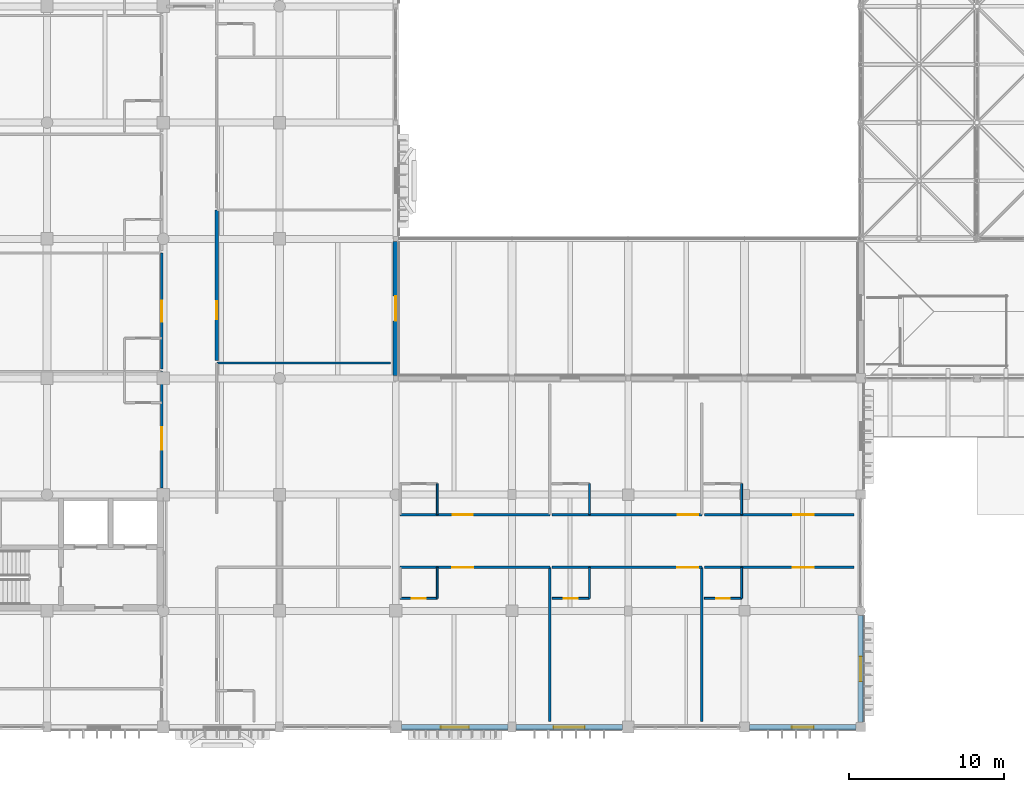
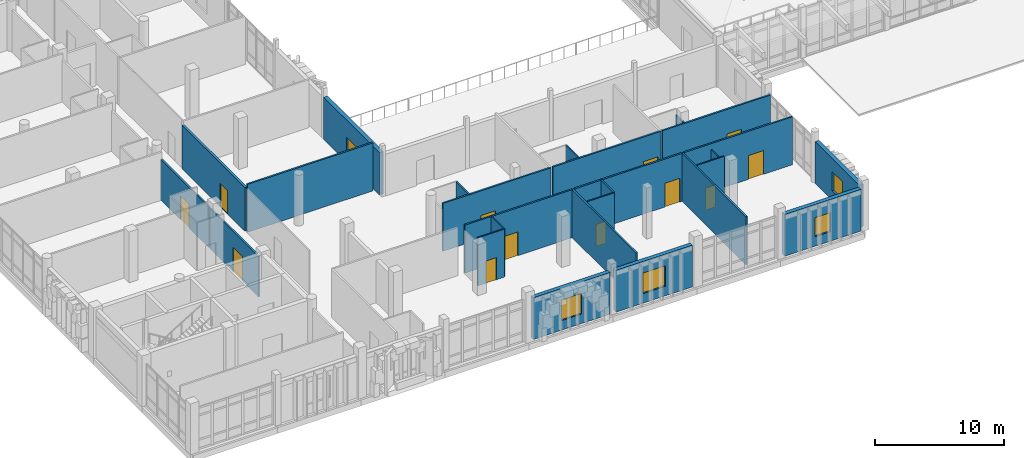
# One storey, part 99 of 131: 26 walls, 13 doors, 4 windows, 17 openings.
"""IFC4 building model written with IfcOpenShell, lengths in metres."""

import ifcopenshell
import ifcopenshell.guid

model = None  # the IFC model being written
_history = None  # IfcOwnerHistory: only IFC2X3 demands one
_inside = {}  # id of a spatial element -> (the spatial element, [elements in it])
_under = {}  # id of a project, library or spatial element -> (it, [spatial elements below it])
_declared = {}  # id of a project -> (the project, [libraries it declares])
_typed = {}  # id of a type object -> (the type object, [elements of that type])
_made_of = {}  # id of a material, layer set ... -> (it, [elements and type objects made of it])


def new_model(schema):
    """Start an empty IFC model of exactly this schema.

    Asked for "IFC4X3", IfcOpenShell would pick the latest addendum, in which some entities
    have other attributes; the version numbers below select the first issue.
    IFC2X3 requires an IfcOwnerHistory on every rooted entity: one is made here for all.
    """
    global model, _history
    if schema == "IFC4X3":
        model = ifcopenshell.file(schema_version=(4, 3, 0, 0))
    else:
        model = ifcopenshell.file(schema=schema)
    _inside.clear()
    _under.clear()
    _declared.clear()
    _typed.clear()
    _made_of.clear()
    _history = None
    if model.schema == "IFC2X3":
        org = make("IfcOrganization", Name="unknown")
        user = make(
            "IfcPersonAndOrganization",
            ThePerson=make("IfcPerson", FamilyName="unknown"),
            TheOrganization=org,
        )
        app = make(
            "IfcApplication",
            ApplicationDeveloper=org,
            Version="unknown",
            ApplicationFullName="unknown",
            ApplicationIdentifier="unknown",
        )
        _history = make(
            "IfcOwnerHistory",
            OwningUser=user,
            OwningApplication=app,
            ChangeAction="ADDED",
            CreationDate=0,
        )
    return model


def make(cls, **values):
    """One entity of the class cls with the attributes given. An attribute that is None is left unset."""
    return model.create_entity(
        cls, **{name: value for name, value in values.items() if value is not None}
    )


def rooted(cls, **values):
    """An entity with a GlobalId (a new one), such as an element, a storey or a relation."""
    return make(cls, GlobalId=ifcopenshell.guid.new(), OwnerHistory=_history, **values)


def si_unit(unit_type, name, prefix=None):
    """IfcSIUnit, for example si_unit("LENGTHUNIT", "METRE", prefix="MILLI")."""
    return make("IfcSIUnit", UnitType=unit_type, Prefix=prefix, Name=name)


def assignment(units):
    """IfcUnitAssignment: the units of a project."""
    return None if units is None else make("IfcUnitAssignment", Units=units)


def point(xyz):
    """IfcCartesianPoint."""
    return None if xyz is None else make("IfcCartesianPoint", Coordinates=xyz)


def direction(xyz):
    """IfcDirection."""
    return None if xyz is None else make("IfcDirection", DirectionRatios=xyz)


def frame(location, z_axis=None, x_axis=None):
    """IfcAxis2Placement3D, a coordinate frame: its origin and axes. An axis left out is left unset."""
    return make(
        "IfcAxis2Placement3D",
        Location=point(location),
        Axis=direction(z_axis),
        RefDirection=direction(x_axis),
    )


def frame_2d(location, x_axis=None):
    """IfcAxis2Placement2D, a coordinate frame in the plane: its origin and x axis."""
    return make(
        "IfcAxis2Placement2D", Location=point(location), RefDirection=direction(x_axis)
    )


def origin():
    """The frame at (0, 0, 0) with its axes left unset."""
    return frame((0.0, 0.0, 0.0))


def place(relative_to, where):
    """IfcLocalPlacement: puts the frame where relative to a parent placement (None: the world)."""
    return make(
        "IfcLocalPlacement", PlacementRelTo=relative_to, RelativePlacement=where
    )


def context(
    kind, dimensions, precision=None, world=None, true_north=None, identifier=None
):
    """IfcGeometricRepresentationContext, for example the 3D "Model" context."""
    return make(
        "IfcGeometricRepresentationContext",
        ContextIdentifier=identifier,
        ContextType=kind,
        CoordinateSpaceDimension=dimensions,
        Precision=precision,
        WorldCoordinateSystem=world,
        TrueNorth=true_north,
    )


def subcontext(parent, identifier, kind, view, scale=None):
    """IfcGeometricRepresentationSubContext, for example "Body" below "Model"."""
    return make(
        "IfcGeometricRepresentationSubContext",
        ContextIdentifier=identifier,
        ContextType=kind,
        ParentContext=parent,
        TargetScale=scale,
        TargetView=view,
    )


def project(units=None, contexts=None):
    """IfcProject with its units and contexts."""
    return rooted(
        "IfcProject",
        Name="project",
        RepresentationContexts=contexts,
        UnitsInContext=assignment(units),
    )


def spatial(cls, under=None, at=None, **own):
    """A site, building, storey or space (cls), placed at a placement, below another one or the project."""
    s = rooted(cls, ObjectPlacement=at, **own)
    if under is not None:
        _under.setdefault(under.id(), (under, []))[1].append(s)
    return s


def profile(cls, at=None, kind="AREA", **sizes):
    """A parametric profile (cls). Its sizes go by their IFC names, for example OverallWidth=200.0."""
    return make(cls, ProfileType=kind, Position=at, **sizes)


def rectangle(**sizes):
    """IfcRectangleProfileDef."""
    return profile("IfcRectangleProfileDef", **sizes)


def extrude(swept, where, along, depth):
    """IfcExtrudedAreaSolid: the profile swept, set in the frame where, extruded along a direction by depth."""
    return make(
        "IfcExtrudedAreaSolid",
        SweptArea=swept,
        Position=where,
        ExtrudedDirection=direction(along),
        Depth=depth,
    )


def shape(context_of_items, identifier, shape_type, items):
    """IfcShapeRepresentation: the items that make up one representation, for example the "Body"."""
    return make(
        "IfcShapeRepresentation",
        ContextOfItems=context_of_items,
        RepresentationIdentifier=identifier,
        RepresentationType=shape_type,
        Items=items,
    )


def material(Name=None, Category=None):
    """IfcMaterial."""
    return make("IfcMaterial", Name=Name, Category=Category)


def layer(
    of_material, thickness, ventilated=None, Name=None, Category=None, Priority=None
):
    """IfcMaterialLayer: one layer of a wall or slab, of a material (None: an air gap)."""
    return make(
        "IfcMaterialLayer",
        Material=of_material,
        LayerThickness=thickness,
        IsVentilated=ventilated,
        Name=Name,
        Category=Category,
        Priority=Priority,
    )


def layer_set(layers, Name=None):
    """IfcMaterialLayerSet."""
    return make("IfcMaterialLayerSet", MaterialLayers=layers, LayerSetName=Name)


def made_of(thing, what):
    """Note that an element or type object is made of a material, layer set ...; save() writes the relation."""
    if what is not None:
        _made_of.setdefault(what.id(), (what, []))[1].append(thing)
    return thing


def type_object(cls, material=None, **own):
    """A type object (cls), such as IfcWallType, which elements share."""
    return made_of(rooted(cls, **own), material)


def element(
    cls,
    number,
    at=None,
    inside=None,
    cuts=None,
    type_object=None,
    material=None,
    context=None,
    identifier="Body",
    shape_type=None,
    held_by="IfcProductDefinitionShape",
    body=None,
    shapes=None,
    **own,
):
    """One element of the class cls, such as IfcWall. Its Tag is "e" and its number.

    at: its placement. inside: the storey or other place that contains it. cuts: it is an
    opening in that element (IfcRelVoidsElement). A single representation is given by context,
    identifier, shape_type and body (its items); several are given by shapes. held_by: the class
    of the entity that holds the representations. save() writes the other relations.
    """
    e = rooted(cls, Tag="e%d" % number, ObjectPlacement=at, **own)
    if body is not None:
        shapes = [shape(context, identifier, shape_type, body)]
    if shapes is not None:
        e.Representation = make(held_by, Representations=shapes)
    if inside is not None:
        _inside.setdefault(inside.id(), (inside, []))[1].append(e)
    if cuts is not None:
        rooted(
            "IfcRelVoidsElement", RelatingBuildingElement=cuts, RelatedOpeningElement=e
        )
    if type_object is not None:
        _typed.setdefault(type_object.id(), (type_object, []))[1].append(e)
    return made_of(e, material)


def fill(opening, filler):
    """IfcRelFillsElement: the door or window that sits in an opening."""
    return rooted(
        "IfcRelFillsElement",
        RelatingOpeningElement=opening,
        RelatedBuildingElement=filler,
    )


def aggregate(whole, parts):
    """IfcRelAggregates: a whole, such as a stair, and the parts it consists of."""
    return rooted("IfcRelAggregates", RelatingObject=whole, RelatedObjects=parts)


def save(model, path):
    """Write the relations noted so far, then the file.

    IfcRelAggregates (storeys below a building ...), IfcRelContainedInSpatialStructure (elements
    in a storey), IfcRelDefinesByType, IfcRelAssociatesMaterial and IfcRelDeclares: one each for
    every whole, place, type object, material and project.
    """
    for whole, parts in _under.values():
        aggregate(whole, parts)
    for where, things in _inside.values():
        rooted(
            "IfcRelContainedInSpatialStructure",
            RelatedElements=things,
            RelatingStructure=where,
        )
    for kind, things in _typed.values():
        rooted("IfcRelDefinesByType", RelatedObjects=things, RelatingType=kind)
    for what, things in _made_of.values():
        rooted("IfcRelAssociatesMaterial", RelatedObjects=things, RelatingMaterial=what)
    for by, libraries in _declared.values():
        rooted("IfcRelDeclares", RelatingContext=by, RelatedDefinitions=libraries)
    model.write(path)


model = new_model("IFC4")

# Units and contexts
model_context = context("Model", 3, precision=1e-05, world=origin(), true_north=direction((0.0, 1.0)))
body_context = subcontext(model_context, "Body", "Model", "MODEL_VIEW")
ifc_project = project(units=[si_unit("LENGTHUNIT", "METRE"), si_unit("AREAUNIT", "SQUARE_METRE"), si_unit("VOLUMEUNIT", "CUBIC_METRE"), si_unit("PLANEANGLEUNIT", "RADIAN"), si_unit("MASSUNIT", "GRAM", prefix="KILO")], contexts=[model_context])

# Site, building, storey
site_placement = place(None, origin())
site = spatial("IfcSite", under=ifc_project, at=site_placement, CompositionType="ELEMENT")
building_placement = place(site_placement, origin())
building = spatial("IfcBuilding", under=site, at=building_placement, Name="Dalvernix Boulevard General Hospital", CompositionType="ELEMENT")
storey_placement = place(building_placement, frame((0.0, 0.0, 9.300048828125)))
storey = spatial("IfcBuildingStorey", under=building, at=storey_placement, Name="L02", CompositionType="ELEMENT", Elevation=9.300048828125)

# Wall, opening, door
ifc_material_1 = material(Name="Pressed Catalan clay brick and insulated concrete cavity wall C35/45", Category="masonry")
ifc_layer_1 = layer(ifc_material_1, 0.35009765625)
ifc_layer_set_1 = layer_set([ifc_layer_1], Name="Pressed Catalan clay brick and insulated concrete cavity wall C35/45 (WAL-EW-01)")
wall_type_1 = type_object("IfcWallType", Name="WAL-EW-01", PredefinedType="STANDARD", material=ifc_layer_set_1)
wall_1_placement = place(storey_placement, frame((30.0, 31.330078125, 0.0), z_axis=(0.0, 0.0, 1.0), x_axis=(0.0, -1.0, 0.0)))
wall_1 = element("IfcWall", 1, at=wall_1_placement, inside=storey, type_object=wall_type_1, Name="L02 Catalan brick external wall E 4-3", PredefinedType="STANDARD", context=body_context, shape_type="SweptSolid", body=[
    extrude(rectangle(XDim=8.66015625, YDim=0.35009765625, at=frame_2d((4.330078125, 0.0))), origin(), (0.0, 0.0, 1.0), 4.0),
])
opening_1_placement = place(wall_1_placement, frame((3.530029296875, 0.0, 0.0)))
opening_1 = element("IfcOpeningElement", 2, at=opening_1_placement, cuts=wall_1, Name="Opening TD-16", PredefinedType="OPENING", context=body_context, shape_type="SweptSolid", body=[
    extrude(rectangle(XDim=1.60009765625, YDim=2.35009765625, at=frame_2d((0.800048828125, 1.175048828125))), frame((0.0, 0.18505859375, 0.0), z_axis=(0.0, -1.0, 0.0), x_axis=(1.0, 0.0, 0.0)), (0.0, 0.0, 1.0), 0.3701171875),
])
ifc_material_2 = material(Name="Powder-coated aluminium and laminated safety glass", Category="aluminium")
door_type_1 = type_object("IfcDoorType", Name="DR-TD-16", OperationType="DOUBLE_DOOR_SINGLE_SWING", PredefinedType="DOOR", material=ifc_material_2)
door_1_placement = place(opening_1_placement, origin())
door_1 = element("IfcDoor", 3, at=door_1_placement, inside=storey, type_object=door_type_1, Name="L02 ward terrace access door E 4-3", OperationType="DOUBLE_DOOR_SINGLE_SWING", OverallHeight=2.35009765625, OverallWidth=1.60009765625, PredefinedType="DOOR", context=body_context, shape_type="SweptSolid", body=[
    extrude(rectangle(XDim=1.60009765625, YDim=2.35009765625, at=frame_2d((0.800048828125, 1.175048828125))), frame((0.0, 0.02490234375, 0.0), z_axis=(0.0, -1.0, 0.0), x_axis=(1.0, 0.0, 0.0)), (0.0, 0.0, 1.0), 0.050048828125),
])
fill(opening_1, door_1)

# Wall, opening, window
wall_2_placement = place(storey_placement, frame((37.239990234375, 0.0, 0.0), z_axis=(0.0, 0.0, 1.0), x_axis=(-1.0, 0.0, 0.0)))
wall_2 = element("IfcWall", 4, at=wall_2_placement, inside=storey, type_object=wall_type_1, Name="L02 Catalan brick external wall S 4-0", PredefinedType="STANDARD", context=body_context, shape_type="SweptSolid", body=[
    extrude(rectangle(XDim=6.85498046875, YDim=0.35009765625, at=frame_2d((3.427490234375, 0.0))), origin(), (0.0, 0.0, 1.0), 3.949951171875),
])
opening_2_placement = place(wall_2_placement, frame((2.527587890625, 0.0, 0.89990234375)))
opening_2 = element("IfcOpeningElement", 5, at=opening_2_placement, cuts=wall_2, Name="Opening WN-11", PredefinedType="OPENING", context=body_context, shape_type="SweptSolid", body=[
    extrude(rectangle(XDim=1.800048828125, YDim=1.949951171875, at=frame_2d((0.89990234375, 0.97509765625))), frame((0.0, 0.18505859375, 0.0), z_axis=(0.0, -1.0, 0.0), x_axis=(1.0, 0.0, 0.0)), (0.0, 0.0, 1.0), 0.3701171875),
])
ifc_material_3 = material(Name="Thermally broken aluminium frame with solar-control double glazing", Category="aluminium")
window_type_1 = type_object("IfcWindowType", Name="WIN-WN-11", PartitioningType="SINGLE_PANEL", PredefinedType="WINDOW", material=ifc_material_3)
window_1_placement = place(opening_2_placement, origin())
window_1 = element("IfcWindow", 6, at=window_1_placement, inside=storey, type_object=window_type_1, Name="L02 clinical window WN-11 S 4-0", OverallHeight=1.949951171875, OverallWidth=1.800048828125, PartitioningType="SINGLE_PANEL", PredefinedType="WINDOW", context=body_context, shape_type="SweptSolid", body=[
    extrude(rectangle(XDim=1.800048828125, YDim=1.949951171875, at=frame_2d((0.89990234375, 0.97509765625))), frame((0.0, 0.030029296875, 0.0), z_axis=(0.0, -1.0, 0.0), x_axis=(1.0, 0.0, 0.0)), (0.0, 0.0, 1.0), 0.06005859375),
])
fill(opening_2, window_1)

wall_3_placement = place(storey_placement, frame((44.614990234375, 0.0, 0.0), z_axis=(0.0, 0.0, 1.0), x_axis=(-1.0, 0.0, 0.0)))
wall_3 = element("IfcWall", 7, at=wall_3_placement, inside=storey, type_object=wall_type_1, Name="L02 Catalan brick external wall S 5-0", PredefinedType="STANDARD", context=body_context, shape_type="SweptSolid", body=[
    extrude(rectangle(XDim=6.85498046875, YDim=0.35009765625, at=frame_2d((3.427490234375, 0.0))), origin(), (0.0, 0.0, 1.0), 3.949951171875),
])
opening_3_placement = place(wall_3_placement, frame((2.427490234375, 0.0, 0.89990234375)))
opening_3 = element("IfcOpeningElement", 8, at=opening_3_placement, cuts=wall_3, Name="Opening WN-12", PredefinedType="OPENING", context=body_context, shape_type="SweptSolid", body=[
    extrude(rectangle(XDim=2.0, YDim=1.949951171875, at=frame_2d((1.0, 0.97509765625))), frame((0.0, 0.18505859375, 0.0), z_axis=(0.0, -1.0, 0.0), x_axis=(1.0, 0.0, 0.0)), (0.0, 0.0, 1.0), 0.3701171875),
])
window_type_2 = type_object("IfcWindowType", Name="WIN-WN-12", PartitioningType="SINGLE_PANEL", PredefinedType="WINDOW", material=ifc_material_3)
window_2_placement = place(opening_3_placement, origin())
window_2 = element("IfcWindow", 9, at=window_2_placement, inside=storey, type_object=window_type_2, Name="L02 clinical window WN-12 S 5-0", OverallHeight=1.949951171875, OverallWidth=2.0, PartitioningType="SINGLE_PANEL", PredefinedType="WINDOW", context=body_context, shape_type="SweptSolid", body=[
    extrude(rectangle(XDim=2.0, YDim=1.949951171875, at=frame_2d((1.0, 0.97509765625))), frame((0.0, 0.030029296875, 0.0), z_axis=(0.0, -1.0, 0.0), x_axis=(1.0, 0.0, 0.0)), (0.0, 0.0, 1.0), 0.06005859375),
])
fill(opening_3, window_2)

wall_4_placement = place(storey_placement, frame((59.68994140625, 0.0, 0.0), z_axis=(0.0, 0.0, 1.0), x_axis=(-1.0, 0.0, 0.0)))
wall_4 = element("IfcWall", 10, at=wall_4_placement, inside=storey, type_object=wall_type_1, Name="L02 Catalan brick external wall S 7-0", PredefinedType="STANDARD", context=body_context, shape_type="SweptSolid", body=[
    extrude(rectangle(XDim=6.85498046875, YDim=0.35009765625, at=frame_2d((3.427490234375, 0.0))), origin(), (0.0, 0.0, 1.0), 3.949951171875),
])
opening_4_placement = place(wall_4_placement, frame((2.7275390625, 0.0, 0.89990234375)))
opening_4 = element("IfcOpeningElement", 11, at=opening_4_placement, cuts=wall_4, Name="Opening WN-14", PredefinedType="OPENING", context=body_context, shape_type="SweptSolid", body=[
    extrude(rectangle(XDim=1.39990234375, YDim=1.800048828125, at=frame_2d((0.699951171875, 0.89990234375))), frame((0.0, 0.18505859375, 0.0), z_axis=(0.0, -1.0, 0.0), x_axis=(1.0, 0.0, 0.0)), (0.0, 0.0, 1.0), 0.3701171875),
])
window_type_3 = type_object("IfcWindowType", Name="WIN-WN-14", PartitioningType="SINGLE_PANEL", PredefinedType="WINDOW", material=ifc_material_3)
window_3_placement = place(opening_4_placement, origin())
window_3 = element("IfcWindow", 12, at=window_3_placement, inside=storey, type_object=window_type_3, Name="L02 clinical window WN-14 S 7-0", OverallHeight=1.800048828125, OverallWidth=1.39990234375, PartitioningType="SINGLE_PANEL", PredefinedType="WINDOW", context=body_context, shape_type="SweptSolid", body=[
    extrude(rectangle(XDim=1.39990234375, YDim=1.800048828125, at=frame_2d((0.699951171875, 0.89990234375))), frame((0.0, 0.030029296875, 0.0), z_axis=(0.0, -1.0, 0.0), x_axis=(1.0, 0.0, 0.0)), (0.0, 0.0, 1.0), 0.06005859375),
])
fill(opening_4, window_3)

wall_5_placement = place(storey_placement, frame((60.0, 7.18994140625, 0.0), z_axis=(0.0, 0.0, 1.0), x_axis=(0.0, -1.0, 0.0)))
wall_5 = element("IfcWall", 13, at=wall_5_placement, inside=storey, type_object=wall_type_1, Name="L02 Catalan brick external wall E 8-0", PredefinedType="STANDARD", context=body_context, shape_type="SweptSolid", body=[
    extrude(rectangle(XDim=6.8798828125, YDim=0.35009765625, at=frame_2d((3.43994140625, 0.0))), origin(), (0.0, 0.0, 1.0), 3.949951171875),
])
opening_5_placement = place(wall_5_placement, frame((2.639892578125, 0.0, 0.89990234375)))
opening_5 = element("IfcOpeningElement", 14, at=opening_5_placement, cuts=wall_5, Name="Opening WN-15", PredefinedType="OPENING", context=body_context, shape_type="SweptSolid", body=[
    extrude(rectangle(XDim=1.60009765625, YDim=1.800048828125, at=frame_2d((0.800048828125, 0.89990234375))), frame((0.0, 0.18505859375, 0.0), z_axis=(0.0, -1.0, 0.0), x_axis=(1.0, 0.0, 0.0)), (0.0, 0.0, 1.0), 0.3701171875),
])
window_type_4 = type_object("IfcWindowType", Name="WIN-WN-15", PartitioningType="SINGLE_PANEL", PredefinedType="WINDOW", material=ifc_material_3)
window_4_placement = place(opening_5_placement, origin())
window_4 = element("IfcWindow", 15, at=window_4_placement, inside=storey, type_object=window_type_4, Name="L02 clinical window WN-15 E 8-0", OverallHeight=1.800048828125, OverallWidth=1.60009765625, PartitioningType="SINGLE_PANEL", PredefinedType="WINDOW", context=body_context, shape_type="SweptSolid", body=[
    extrude(rectangle(XDim=1.60009765625, YDim=1.800048828125, at=frame_2d((0.800048828125, 0.89990234375))), frame((0.0, 0.030029296875, 0.0), z_axis=(0.0, -1.0, 0.0), x_axis=(1.0, 0.0, 0.0)), (0.0, 0.0, 1.0), 0.06005859375),
])
fill(opening_5, window_4)

# Wall, opening, door
ifc_material_4 = material(Name="Fire-compartment corridor masonry wall", Category="masonry")
ifc_layer_2 = layer(ifc_material_4, 0.199951171875)
ifc_layer_set_2 = layer_set([ifc_layer_2], Name="Fire-compartment corridor masonry wall (WAL-IW-02)")
wall_type_2 = type_object("IfcWallType", Name="WAL-IW-02", PredefinedType="STANDARD", material=ifc_layer_set_2)
wall_6_placement = place(storey_placement, frame((18.449951171875, 33.357421875, 0.0), z_axis=(0.0, 0.0, 1.0), x_axis=(0.0, -1.0, 0.0)))
wall_6 = element("IfcWall", 16, at=wall_6_placement, inside=storey, type_object=wall_type_2, Name="L02 Clinical Treatment and Procedure Room L02 corridor wall", PredefinedType="STANDARD", context=body_context, shape_type="SweptSolid", body=[
    extrude(rectangle(XDim=9.708740234375, YDim=0.199951171875, at=frame_2d((4.8544921875, 0.0))), origin(), (0.0, 0.0, 1.0), 4.135009765625),
])
opening_6_placement = place(wall_6_placement, frame((5.89111328125, 0.0, 0.0)))
opening_6 = element("IfcOpeningElement", 17, at=opening_6_placement, cuts=wall_6, Name="Opening ID-08", PredefinedType="OPENING", context=body_context, shape_type="SweptSolid", body=[
    extrude(rectangle(XDim=1.14990234375, YDim=2.199951171875, at=frame_2d((0.574951171875, 1.10009765625))), frame((0.0, 0.10986328125, 0.0), z_axis=(0.0, -1.0, 0.0), x_axis=(1.0, 0.0, 0.0)), (0.0, 0.0, 1.0), 0.219970703125),
])
ifc_material_5 = material(Name="Hospital laminate acoustic timber and steel frame", Category="steel")
door_type_2 = type_object("IfcDoorType", Name="DR-ID-08", OperationType="NOTDEFINED", PredefinedType="DOOR", material=ifc_material_5)
door_2_placement = place(opening_6_placement, origin())
door_2 = element("IfcDoor", 18, at=door_2_placement, inside=storey, type_object=door_type_2, Name="L02 Clinical Treatment and Procedure Room L02 door", OperationType="SINGLE_SWING_RIGHT", OverallHeight=2.199951171875, OverallWidth=1.14990234375, PredefinedType="DOOR", context=body_context, shape_type="SweptSolid", body=[
    extrude(rectangle(XDim=1.14990234375, YDim=2.199951171875, at=frame_2d((0.574951171875, 1.10009765625))), frame((0.0, 0.02490234375, 0.0), z_axis=(0.0, -1.0, 0.0), x_axis=(1.0, 0.0, 0.0)), (0.0, 0.0, 1.0), 0.050048828125),
])
fill(opening_6, door_2)

ifc_material_6 = material(Name="Acoustic double-stud gypsum inpatient partition")
ifc_layer_3 = layer(ifc_material_6, 0.14990234375)
ifc_layer_set_3 = layer_set([ifc_layer_3], Name="Acoustic double-stud gypsum inpatient partition (WAL-IW-04)")
wall_type_3 = type_object("IfcWallType", Name="WAL-IW-04", PredefinedType="PARTITIONING", material=ifc_layer_set_3)
wall_7_placement = place(storey_placement, frame((14.89990234375, 15.429931640625, 0.0), z_axis=(0.0, 0.0, 1.0), x_axis=(0.0, 1.0, 0.0)))
wall_7 = element("IfcWall", 19, at=wall_7_placement, inside=storey, type_object=wall_type_3, Name="L02 Four Bed Observation Ward L02-W02 corridor wall", PredefinedType="PARTITIONING", context=body_context, shape_type="SweptSolid", body=[
    extrude(rectangle(XDim=7.5, YDim=0.14990234375, at=frame_2d((3.75, 0.0))), origin(), (0.0, 0.0, 1.0), 3.8349609375),
])
opening_7_placement = place(wall_7_placement, frame((2.469970703125, 0.0, 0.0)))
opening_7 = element("IfcOpeningElement", 20, at=opening_7_placement, cuts=wall_7, Name="Opening ID-02", PredefinedType="OPENING", context=body_context, shape_type="SweptSolid", body=[
    extrude(rectangle(XDim=1.449951171875, YDim=2.300048828125, at=frame_2d((0.72509765625, 1.14990234375))), frame((0.0, 0.0849609375, 0.0), z_axis=(0.0, -1.0, 0.0), x_axis=(1.0, 0.0, 0.0)), (0.0, 0.0, 1.0), 0.169921875),
])
door_type_3 = type_object("IfcDoorType", Name="DR-ID-02", OperationType="NOTDEFINED", PredefinedType="DOOR", material=ifc_material_5)
door_3_placement = place(opening_7_placement, origin())
door_3 = element("IfcDoor", 21, at=door_3_placement, inside=storey, type_object=door_type_3, Name="L02 Four Bed Observation Ward L02-W02 door", OperationType="SINGLE_SWING_LEFT", OverallHeight=2.300048828125, OverallWidth=1.449951171875, PredefinedType="DOOR", context=body_context, shape_type="SweptSolid", body=[
    extrude(rectangle(XDim=1.449951171875, YDim=2.300048828125, at=frame_2d((0.72509765625, 1.14990234375))), frame((0.0, 0.02490234375, 0.0), z_axis=(0.0, -1.0, 0.0), x_axis=(1.0, 0.0, 0.0)), (0.0, 0.0, 1.0), 0.050048828125),
])
fill(opening_7, door_3)

wall_8_placement = place(storey_placement, frame((14.89990234375, 23.090087890625, 0.0), z_axis=(0.0, 0.0, 1.0), x_axis=(0.0, 1.0, 0.0)))
wall_8 = element("IfcWall", 22, at=wall_8_placement, inside=storey, type_object=wall_type_3, Name="L02 Acute Observation Patient Room L02-W03 corridor wall", PredefinedType="PARTITIONING", context=body_context, shape_type="SweptSolid", body=[
    extrude(rectangle(XDim=7.5, YDim=0.14990234375, at=frame_2d((3.75, 0.0))), origin(), (0.0, 0.0, 1.0), 3.8349609375),
])
opening_8_placement = place(wall_8_placement, frame((3.074951171875, 0.0, 0.0)))
opening_8 = element("IfcOpeningElement", 23, at=opening_8_placement, cuts=wall_8, Name="Opening ID-01", PredefinedType="OPENING", context=body_context, shape_type="SweptSolid", body=[
    extrude(rectangle(XDim=1.35009765625, YDim=2.25, at=frame_2d((0.675048828125, 1.125))), frame((0.0, 0.0849609375, 0.0), z_axis=(0.0, -1.0, 0.0), x_axis=(1.0, 0.0, 0.0)), (0.0, 0.0, 1.0), 0.169921875),
])
door_type_4 = type_object("IfcDoorType", Name="DR-ID-01", OperationType="NOTDEFINED", PredefinedType="DOOR", material=ifc_material_5)
door_4_placement = place(opening_8_placement, origin())
door_4 = element("IfcDoor", 24, at=door_4_placement, inside=storey, type_object=door_type_4, Name="L02 Acute Observation Patient Room L02-W03 door", OperationType="SINGLE_SWING_LEFT", OverallHeight=2.25, OverallWidth=1.35009765625, PredefinedType="DOOR", context=body_context, shape_type="SweptSolid", body=[
    extrude(rectangle(XDim=1.35009765625, YDim=2.25, at=frame_2d((0.675048828125, 1.125))), frame((0.0, 0.02490234375, 0.0), z_axis=(0.0, -1.0, 0.0), x_axis=(1.0, 0.0, 0.0)), (0.0, 0.0, 1.0), 0.050048828125),
])
fill(opening_8, door_4)

wall_9_placement = place(storey_placement, frame((39.936767578125, 10.300048828125, 0.0), z_axis=(0.0, 0.0, 1.0), x_axis=(-1.0, 0.0, 0.0)))
wall_9 = element("IfcWall", 25, at=wall_9_placement, inside=storey, type_object=wall_type_3, Name="L02 Inpatient Ward Suite L02-S1 corridor wall", PredefinedType="PARTITIONING", context=body_context, shape_type="SweptSolid", body=[
    extrude(rectangle(XDim=9.65673828125, YDim=0.14990234375, at=frame_2d((4.828369140625, 0.0))), origin(), (0.0, 0.0, 1.0), 4.534912109375),
])
opening_9_placement = place(wall_9_placement, frame((4.93408203125, 0.0, 0.0)))
opening_9 = element("IfcOpeningElement", 26, at=opening_9_placement, cuts=wall_9, Name="Opening ID-01", PredefinedType="OPENING", context=body_context, shape_type="SweptSolid", body=[
    extrude(rectangle(XDim=1.35009765625, YDim=2.25, at=frame_2d((0.675048828125, 1.125))), frame((0.0, 0.0849609375, 0.0), z_axis=(0.0, -1.0, 0.0), x_axis=(1.0, 0.0, 0.0)), (0.0, 0.0, 1.0), 0.169921875),
])
door_5_placement = place(opening_9_placement, origin())
door_5 = element("IfcDoor", 27, at=door_5_placement, inside=storey, type_object=door_type_4, Name="L02 Inpatient Ward Suite L02-S1 door", OperationType="SINGLE_SWING_LEFT", OverallHeight=2.25, OverallWidth=1.35009765625, PredefinedType="DOOR", context=body_context, shape_type="SweptSolid", body=[
    extrude(rectangle(XDim=1.35009765625, YDim=2.25, at=frame_2d((0.675048828125, 1.125))), frame((0.0, 0.02490234375, 0.0), z_axis=(0.0, -1.0, 0.0), x_axis=(1.0, 0.0, 0.0)), (0.0, 0.0, 1.0), 0.050048828125),
])
fill(opening_9, door_5)

wall_10_placement = place(storey_placement, frame((30.280029296875, 13.699951171875, 0.0), z_axis=(0.0, 0.0, 1.0), x_axis=(1.0, 0.0, 0.0)))
wall_10 = element("IfcWall", 28, at=wall_10_placement, inside=storey, type_object=wall_type_3, Name="L02 Isolation Patient Room L02-N1 corridor wall", PredefinedType="PARTITIONING", context=body_context, shape_type="SweptSolid", body=[
    extrude(rectangle(XDim=9.65673828125, YDim=0.14990234375, at=frame_2d((4.828369140625, 0.0))), origin(), (0.0, 0.0, 1.0), 4.534912109375),
])
opening_10_placement = place(wall_10_placement, frame((3.392578125, 0.0, 0.0)))
opening_10 = element("IfcOpeningElement", 29, at=opening_10_placement, cuts=wall_10, Name="Opening ID-03", PredefinedType="OPENING", context=body_context, shape_type="SweptSolid", body=[
    extrude(rectangle(XDim=1.300048828125, YDim=2.199951171875, at=frame_2d((0.64990234375, 1.10009765625))), frame((0.0, 0.0849609375, 0.0), z_axis=(0.0, -1.0, 0.0), x_axis=(1.0, 0.0, 0.0)), (0.0, 0.0, 1.0), 0.169921875),
])
door_type_5 = type_object("IfcDoorType", Name="DR-ID-03", OperationType="NOTDEFINED", PredefinedType="DOOR", material=ifc_material_5)
door_6_placement = place(opening_10_placement, origin())
door_6 = element("IfcDoor", 30, at=door_6_placement, inside=storey, type_object=door_type_5, Name="L02 Isolation Patient Room L02-N1 door", OperationType="SINGLE_SWING_LEFT", OverallHeight=2.199951171875, OverallWidth=1.300048828125, PredefinedType="DOOR", context=body_context, shape_type="SweptSolid", body=[
    extrude(rectangle(XDim=1.300048828125, YDim=2.199951171875, at=frame_2d((0.64990234375, 1.10009765625))), frame((0.0, 0.02490234375, 0.0), z_axis=(0.0, -1.0, 0.0), x_axis=(1.0, 0.0, 0.0)), (0.0, 0.0, 1.0), 0.050048828125),
])
fill(opening_10, door_6)

wall_11_placement = place(storey_placement, frame((49.75341796875, 10.300048828125, 0.0), z_axis=(0.0, 0.0, 1.0), x_axis=(-1.0, 0.0, 0.0)))
wall_11 = element("IfcWall", 31, at=wall_11_placement, inside=storey, type_object=wall_type_3, Name="L02 Inpatient Ward Suite L02-S2 corridor wall", PredefinedType="PARTITIONING", context=body_context, shape_type="SweptSolid", body=[
    extrude(rectangle(XDim=9.65673828125, YDim=0.14990234375, at=frame_2d((4.828369140625, 0.0))), origin(), (0.0, 0.0, 1.0), 4.534912109375),
])
opening_11_placement = place(wall_11_placement, frame((0.25, 0.0, 0.0)))
opening_11 = element("IfcOpeningElement", 32, at=opening_11_placement, cuts=wall_11, Name="Opening ID-01", PredefinedType="OPENING", context=body_context, shape_type="SweptSolid", body=[
    extrude(rectangle(XDim=1.35009765625, YDim=2.25, at=frame_2d((0.675048828125, 1.125))), frame((0.0, 0.0849609375, 0.0), z_axis=(0.0, -1.0, 0.0), x_axis=(1.0, 0.0, 0.0)), (0.0, 0.0, 1.0), 0.169921875),
])
door_7_placement = place(opening_11_placement, origin())
door_7 = element("IfcDoor", 33, at=door_7_placement, inside=storey, type_object=door_type_4, Name="L02 Inpatient Ward Suite L02-S2 door", OperationType="SINGLE_SWING_LEFT", OverallHeight=2.25, OverallWidth=1.35009765625, PredefinedType="DOOR", context=body_context, shape_type="SweptSolid", body=[
    extrude(rectangle(XDim=1.35009765625, YDim=2.25, at=frame_2d((0.675048828125, 1.125))), frame((0.0, 0.02490234375, 0.0), z_axis=(0.0, -1.0, 0.0), x_axis=(1.0, 0.0, 0.0)), (0.0, 0.0, 1.0), 0.050048828125),
])
fill(opening_11, door_7)

wall_12_placement = place(storey_placement, frame((40.0966796875, 13.699951171875, 0.0), z_axis=(0.0, 0.0, 1.0), x_axis=(1.0, 0.0, 0.0)))
wall_12 = element("IfcWall", 34, at=wall_12_placement, inside=storey, type_object=wall_type_3, Name="L02 Isolation Patient Room L02-N2 corridor wall", PredefinedType="PARTITIONING", context=body_context, shape_type="SweptSolid", body=[
    extrude(rectangle(XDim=9.65673828125, YDim=0.14990234375, at=frame_2d((4.828369140625, 0.0))), origin(), (0.0, 0.0, 1.0), 4.534912109375),
])
opening_12_placement = place(wall_12_placement, frame((8.106689453125, 0.0, 0.0)))
opening_12 = element("IfcOpeningElement", 35, at=opening_12_placement, cuts=wall_12, Name="Opening ID-03", PredefinedType="OPENING", context=body_context, shape_type="SweptSolid", body=[
    extrude(rectangle(XDim=1.300048828125, YDim=2.199951171875, at=frame_2d((0.64990234375, 1.10009765625))), frame((0.0, 0.0849609375, 0.0), z_axis=(0.0, -1.0, 0.0), x_axis=(1.0, 0.0, 0.0)), (0.0, 0.0, 1.0), 0.169921875),
])
door_8_placement = place(opening_12_placement, origin())
door_8 = element("IfcDoor", 36, at=door_8_placement, inside=storey, type_object=door_type_5, Name="L02 Isolation Patient Room L02-N2 door", OperationType="SINGLE_SWING_LEFT", OverallHeight=2.199951171875, OverallWidth=1.300048828125, PredefinedType="DOOR", context=body_context, shape_type="SweptSolid", body=[
    extrude(rectangle(XDim=1.300048828125, YDim=2.199951171875, at=frame_2d((0.64990234375, 1.10009765625))), frame((0.0, 0.02490234375, 0.0), z_axis=(0.0, -1.0, 0.0), x_axis=(1.0, 0.0, 0.0)), (0.0, 0.0, 1.0), 0.050048828125),
])
fill(opening_12, door_8)

wall_13_placement = place(storey_placement, frame((59.570068359375, 10.300048828125, 0.0), z_axis=(0.0, 0.0, 1.0), x_axis=(-1.0, 0.0, 0.0)))
wall_13 = element("IfcWall", 37, at=wall_13_placement, inside=storey, type_object=wall_type_3, Name="L02 Inpatient Ward Suite L02-S3 corridor wall", PredefinedType="PARTITIONING", context=body_context, shape_type="SweptSolid", body=[
    extrude(rectangle(XDim=9.65673828125, YDim=0.14990234375, at=frame_2d((4.828369140625, 0.0))), origin(), (0.0, 0.0, 1.0), 4.534912109375),
])
opening_13_placement = place(wall_13_placement, frame((2.592041015625, 0.0, 0.0)))
opening_13 = element("IfcOpeningElement", 38, at=opening_13_placement, cuts=wall_13, Name="Opening ID-01", PredefinedType="OPENING", context=body_context, shape_type="SweptSolid", body=[
    extrude(rectangle(XDim=1.35009765625, YDim=2.25, at=frame_2d((0.675048828125, 1.125))), frame((0.0, 0.0849609375, 0.0), z_axis=(0.0, -1.0, 0.0), x_axis=(1.0, 0.0, 0.0)), (0.0, 0.0, 1.0), 0.169921875),
])
door_9_placement = place(opening_13_placement, origin())
door_9 = element("IfcDoor", 39, at=door_9_placement, inside=storey, type_object=door_type_4, Name="L02 Inpatient Ward Suite L02-S3 door", OperationType="SINGLE_SWING_LEFT", OverallHeight=2.25, OverallWidth=1.35009765625, PredefinedType="DOOR", context=body_context, shape_type="SweptSolid", body=[
    extrude(rectangle(XDim=1.35009765625, YDim=2.25, at=frame_2d((0.675048828125, 1.125))), frame((0.0, 0.02490234375, 0.0), z_axis=(0.0, -1.0, 0.0), x_axis=(1.0, 0.0, 0.0)), (0.0, 0.0, 1.0), 0.050048828125),
])
fill(opening_13, door_9)

wall_14_placement = place(storey_placement, frame((49.913330078125, 13.699951171875, 0.0), z_axis=(0.0, 0.0, 1.0), x_axis=(1.0, 0.0, 0.0)))
wall_14 = element("IfcWall", 40, at=wall_14_placement, inside=storey, type_object=wall_type_3, Name="L02 Isolation Patient Room L02-N3 corridor wall", PredefinedType="PARTITIONING", context=body_context, shape_type="SweptSolid", body=[
    extrude(rectangle(XDim=9.65673828125, YDim=0.14990234375, at=frame_2d((4.828369140625, 0.0))), origin(), (0.0, 0.0, 1.0), 4.534912109375),
])
opening_14_placement = place(wall_14_placement, frame((5.749755859375, 0.0, 0.0)))
opening_14 = element("IfcOpeningElement", 41, at=opening_14_placement, cuts=wall_14, Name="Opening ID-03", PredefinedType="OPENING", context=body_context, shape_type="SweptSolid", body=[
    extrude(rectangle(XDim=1.300048828125, YDim=2.199951171875, at=frame_2d((0.64990234375, 1.10009765625))), frame((0.0, 0.0849609375, 0.0), z_axis=(0.0, -1.0, 0.0), x_axis=(1.0, 0.0, 0.0)), (0.0, 0.0, 1.0), 0.169921875),
])
door_10_placement = place(opening_14_placement, origin())
door_10 = element("IfcDoor", 42, at=door_10_placement, inside=storey, type_object=door_type_5, Name="L02 Isolation Patient Room L02-N3 door", OperationType="SINGLE_SWING_LEFT", OverallHeight=2.199951171875, OverallWidth=1.300048828125, PredefinedType="DOOR", context=body_context, shape_type="SweptSolid", body=[
    extrude(rectangle(XDim=1.300048828125, YDim=2.199951171875, at=frame_2d((0.64990234375, 1.10009765625))), frame((0.0, 0.02490234375, 0.0), z_axis=(0.0, -1.0, 0.0), x_axis=(1.0, 0.0, 0.0)), (0.0, 0.0, 1.0), 0.050048828125),
])
fill(opening_14, door_10)

# Walls
wall_15_placement = place(storey_placement, frame((18.449951171875, 23.48876953125, 0.0), z_axis=(0.0, 0.0, 1.0), x_axis=(1.0, 0.0, 0.0)))
element("IfcWall", 43, at=wall_15_placement, inside=storey, type_object=wall_type_3, Name="L02 Ward Nurse Station and Medication Prep L02 partition", PredefinedType="PARTITIONING", context=body_context, shape_type="SweptSolid", body=[
    extrude(rectangle(XDim=11.199951171875, YDim=0.14990234375, at=frame_2d((5.60009765625, 0.0))), origin(), (0.0, 0.0, 1.0), 4.534912109375),
])
for number, where, z_axis, x_axis, name in (
    (44, (39.936767578125, 0.35009765625, 0.0), (0.0, 0.0, 1.0), (0.0, 1.0, 0.0), "L02 Inpatient Ward Suite L02-S1 partition"),
    (45, (49.75341796875, 0.35009765625, 0.0), (0.0, 0.0, 1.0), (0.0, 1.0, 0.0), "L02 Inpatient Ward Suite L02-S2 partition"),
):
    element("IfcWall", number, at=place(storey_placement, frame(where, z_axis=z_axis, x_axis=x_axis)), inside=storey, type_object=wall_type_3, Name=name, PredefinedType="PARTITIONING", context=body_context, shape_type="SweptSolid", body=[
        extrude(rectangle(XDim=9.949951171875, YDim=0.14990234375, at=frame_2d((4.97509765625, 0.0))), origin(), (0.0, 0.0, 1.0), 4.534912109375),
    ])

# Wall, opening, door
ifc_material_7 = material(Name="Moisture-resistant en-suite bathroom partition")
ifc_layer_4 = layer(ifc_material_7, 0.1201171875)
ifc_layer_set_4 = layer_set([ifc_layer_4], Name="Moisture-resistant en-suite bathroom partition (WAL-IW-05)")
wall_type_4 = type_object("IfcWallType", Name="WAL-IW-05", PredefinedType="PARTITIONING", material=ifc_layer_set_4)
wall_16_placement = place(storey_placement, frame((30.280029296875, 8.300048828125, 0.0), z_axis=(0.0, 0.0, 1.0), x_axis=(1.0, 0.0, 0.0)))
wall_16 = element("IfcWall", 46, at=wall_16_placement, inside=storey, type_object=wall_type_4, Name="L02 en-suite bathroom door wall", PredefinedType="PARTITIONING", context=body_context, shape_type="SweptSolid", body=[
    extrude(rectangle(XDim=2.39990234375, YDim=0.1201171875, at=frame_2d((1.199951171875, 0.0))), origin(), (0.0, 0.0, 1.0), 4.534912109375),
])
opening_15_placement = place(wall_16_placement, frame((0.75, 0.0, 0.0)))
opening_15 = element("IfcOpeningElement", 47, at=opening_15_placement, cuts=wall_16, Name="Opening ID-05", PredefinedType="OPENING", context=body_context, shape_type="SweptSolid", body=[
    extrude(rectangle(XDim=0.89990234375, YDim=2.10009765625, at=frame_2d((0.449951171875, 1.050048828125))), frame((0.0, 0.070068359375, 0.0), z_axis=(0.0, -1.0, 0.0), x_axis=(1.0, 0.0, 0.0)), (0.0, 0.0, 1.0), 0.14013671875),
])
door_type_6 = type_object("IfcDoorType", Name="DR-ID-05", OperationType="NOTDEFINED", PredefinedType="DOOR", material=ifc_material_5)
door_11_placement = place(opening_15_placement, origin())
door_11 = element("IfcDoor", 48, at=door_11_placement, inside=storey, type_object=door_type_6, Name="L02 L02-SW-S1 en-suite bathroom door", OperationType="SINGLE_SWING_RIGHT", OverallHeight=2.10009765625, OverallWidth=0.89990234375, PredefinedType="DOOR", context=body_context, shape_type="SweptSolid", body=[
    extrude(rectangle(XDim=0.89990234375, YDim=2.10009765625, at=frame_2d((0.449951171875, 1.050048828125))), frame((0.0, 0.02490234375, 0.0), z_axis=(0.0, -1.0, 0.0), x_axis=(1.0, 0.0, 0.0)), (0.0, 0.0, 1.0), 0.050048828125),
])
fill(opening_15, door_11)

# Walls
for number, where, z_axis, x_axis, name in (
    (49, (32.679931640625, 8.300048828125, 0.0), (0.0, 0.0, 1.0), (0.0, 1.0, 0.0), "L02 en-suite bathroom side wall"),
    (50, (32.679931640625, 13.699951171875, 0.0), (0.0, 0.0, 1.0), (0.0, 1.0, 0.0), "L02 en-suite bathroom side wall"),
):
    element("IfcWall", number, at=place(storey_placement, frame(where, z_axis=z_axis, x_axis=x_axis)), inside=storey, type_object=wall_type_4, Name=name, PredefinedType="PARTITIONING", context=body_context, shape_type="SweptSolid", body=[
        extrude(rectangle(XDim=2.0, YDim=0.1201171875, at=frame_2d((1.0, 0.0))), origin(), (0.0, 0.0, 1.0), 4.534912109375),
    ])

# Wall, opening, door
wall_17_placement = place(storey_placement, frame((40.0966796875, 8.300048828125, 0.0), z_axis=(0.0, 0.0, 1.0), x_axis=(1.0, 0.0, 0.0)))
wall_17 = element("IfcWall", 51, at=wall_17_placement, inside=storey, type_object=wall_type_4, Name="L02 en-suite bathroom door wall", PredefinedType="PARTITIONING", context=body_context, shape_type="SweptSolid", body=[
    extrude(rectangle(XDim=2.39990234375, YDim=0.1201171875, at=frame_2d((1.199951171875, 0.0))), origin(), (0.0, 0.0, 1.0), 4.534912109375),
])
opening_16_placement = place(wall_17_placement, frame((0.75, 0.0, 0.0)))
opening_16 = element("IfcOpeningElement", 52, at=opening_16_placement, cuts=wall_17, Name="Opening ID-05", PredefinedType="OPENING", context=body_context, shape_type="SweptSolid", body=[
    extrude(rectangle(XDim=0.89990234375, YDim=2.10009765625, at=frame_2d((0.449951171875, 1.050048828125))), frame((0.0, 0.070068359375, 0.0), z_axis=(0.0, -1.0, 0.0), x_axis=(1.0, 0.0, 0.0)), (0.0, 0.0, 1.0), 0.14013671875),
])
door_12_placement = place(opening_16_placement, origin())
door_12 = element("IfcDoor", 53, at=door_12_placement, inside=storey, type_object=door_type_6, Name="L02 L02-SW-S2 en-suite bathroom door", OperationType="SINGLE_SWING_RIGHT", OverallHeight=2.10009765625, OverallWidth=0.89990234375, PredefinedType="DOOR", context=body_context, shape_type="SweptSolid", body=[
    extrude(rectangle(XDim=0.89990234375, YDim=2.10009765625, at=frame_2d((0.449951171875, 1.050048828125))), frame((0.0, 0.02490234375, 0.0), z_axis=(0.0, -1.0, 0.0), x_axis=(1.0, 0.0, 0.0)), (0.0, 0.0, 1.0), 0.050048828125),
])
fill(opening_16, door_12)

# Walls
for number, where, z_axis, x_axis, name in (
    (54, (42.49658203125, 8.300048828125, 0.0), (0.0, 0.0, 1.0), (0.0, 1.0, 0.0), "L02 en-suite bathroom side wall"),
    (55, (42.49658203125, 13.699951171875, 0.0), (0.0, 0.0, 1.0), (0.0, 1.0, 0.0), "L02 en-suite bathroom side wall"),
):
    element("IfcWall", number, at=place(storey_placement, frame(where, z_axis=z_axis, x_axis=x_axis)), inside=storey, type_object=wall_type_4, Name=name, PredefinedType="PARTITIONING", context=body_context, shape_type="SweptSolid", body=[
        extrude(rectangle(XDim=2.0, YDim=0.1201171875, at=frame_2d((1.0, 0.0))), origin(), (0.0, 0.0, 1.0), 4.534912109375),
    ])

# Wall, opening, door
wall_18_placement = place(storey_placement, frame((49.913330078125, 8.300048828125, 0.0), z_axis=(0.0, 0.0, 1.0), x_axis=(1.0, 0.0, 0.0)))
wall_18 = element("IfcWall", 56, at=wall_18_placement, inside=storey, type_object=wall_type_4, Name="L02 en-suite bathroom door wall", PredefinedType="PARTITIONING", context=body_context, shape_type="SweptSolid", body=[
    extrude(rectangle(XDim=2.39990234375, YDim=0.1201171875, at=frame_2d((1.199951171875, 0.0))), origin(), (0.0, 0.0, 1.0), 4.534912109375),
])
opening_17_placement = place(wall_18_placement, frame((0.75, 0.0, 0.0)))
opening_17 = element("IfcOpeningElement", 57, at=opening_17_placement, cuts=wall_18, Name="Opening ID-05", PredefinedType="OPENING", context=body_context, shape_type="SweptSolid", body=[
    extrude(rectangle(XDim=0.89990234375, YDim=2.10009765625, at=frame_2d((0.449951171875, 1.050048828125))), frame((0.0, 0.070068359375, 0.0), z_axis=(0.0, -1.0, 0.0), x_axis=(1.0, 0.0, 0.0)), (0.0, 0.0, 1.0), 0.14013671875),
])
door_13_placement = place(opening_17_placement, origin())
door_13 = element("IfcDoor", 58, at=door_13_placement, inside=storey, type_object=door_type_6, Name="L02 L02-SW-S3 en-suite bathroom door", OperationType="SINGLE_SWING_RIGHT", OverallHeight=2.10009765625, OverallWidth=0.89990234375, PredefinedType="DOOR", context=body_context, shape_type="SweptSolid", body=[
    extrude(rectangle(XDim=0.89990234375, YDim=2.10009765625, at=frame_2d((0.449951171875, 1.050048828125))), frame((0.0, 0.02490234375, 0.0), z_axis=(0.0, -1.0, 0.0), x_axis=(1.0, 0.0, 0.0)), (0.0, 0.0, 1.0), 0.050048828125),
])
fill(opening_17, door_13)

# Walls
for number, where, z_axis, x_axis, name in (
    (59, (52.313232421875, 8.300048828125, 0.0), (0.0, 0.0, 1.0), (0.0, 1.0, 0.0), "L02 en-suite bathroom side wall"),
    (60, (52.313232421875, 13.699951171875, 0.0), (0.0, 0.0, 1.0), (0.0, 1.0, 0.0), "L02 en-suite bathroom side wall"),
):
    element("IfcWall", number, at=place(storey_placement, frame(where, z_axis=z_axis, x_axis=x_axis)), inside=storey, type_object=wall_type_4, Name=name, PredefinedType="PARTITIONING", context=body_context, shape_type="SweptSolid", body=[
        extrude(rectangle(XDim=2.0, YDim=0.1201171875, at=frame_2d((1.0, 0.0))), origin(), (0.0, 0.0, 1.0), 3.98486328125),
    ])

save(model, "model.ifc")
